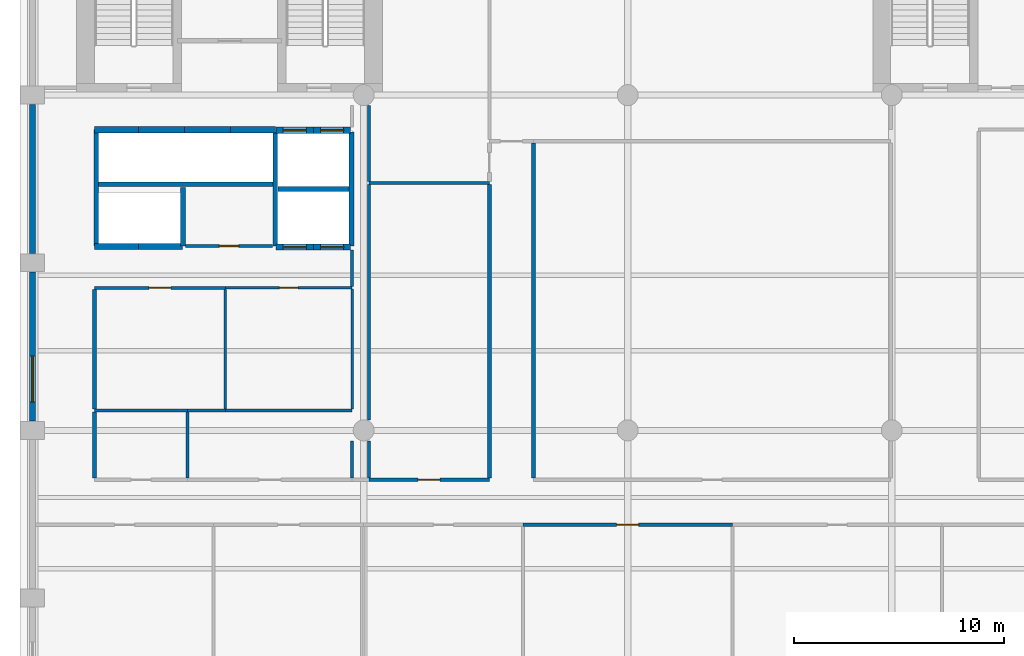
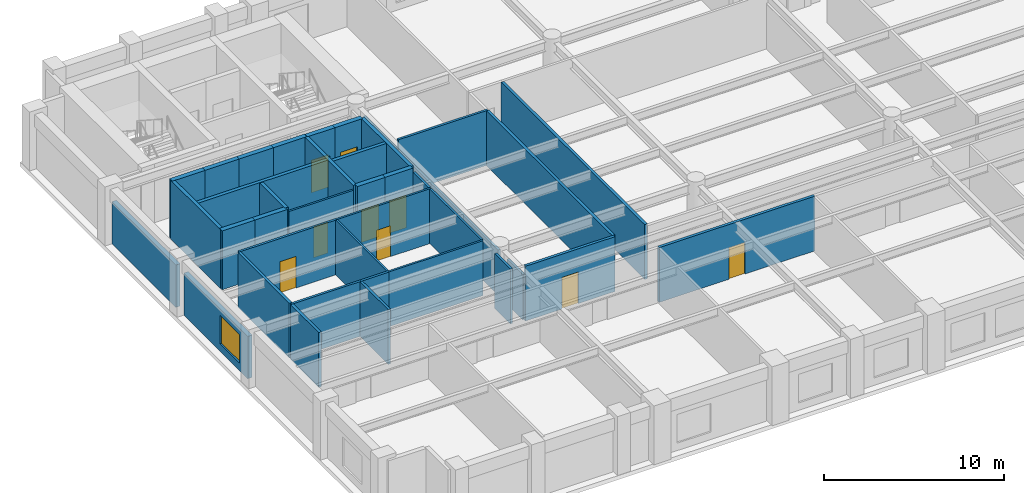
# One storey, part 3 of 8: 39 walls, 9 doors, 1 window, 10 openings.
"""IFC4 building model written with IfcOpenShell, lengths in metres."""

from ifc_helpers import new_model, si_unit, direction, frame, frame_2d, origin, place, context, subcontext, project, spatial, rectangle, extrude, material, layer, layer_set, type_object, element, fill, save


model = new_model("IFC4")

# Units and contexts
model_context = context("Model", 3, precision=1e-05, world=origin(), true_north=direction((0.0, 1.0)))
body_context = subcontext(model_context, "Body", "Model", "MODEL_VIEW")
ifc_project = project(units=[si_unit("LENGTHUNIT", "METRE"), si_unit("AREAUNIT", "SQUARE_METRE"), si_unit("VOLUMEUNIT", "CUBIC_METRE"), si_unit("PLANEANGLEUNIT", "RADIAN"), si_unit("MASSUNIT", "GRAM", prefix="KILO")], contexts=[model_context])

# Site, building, storey
site_placement = place(None, origin())
site = spatial("IfcSite", under=ifc_project, at=site_placement, CompositionType="ELEMENT")
building_placement = place(site_placement, origin())
building = spatial("IfcBuilding", under=site, at=building_placement, Name="Sulina Concourse Tower", CompositionType="ELEMENT")
storey_placement = place(building_placement, frame((0.0, 0.0, 140.60009765625)))
storey = spatial("IfcBuildingStorey", under=building, at=storey_placement, Name="L34", CompositionType="ELEMENT", Elevation=140.60009765625)

# Walls
ifc_material_1 = material(Name="Concrete C50/60", Category="concrete")
ifc_layer_1 = layer(ifc_material_1, 0.219970703125)
ifc_layer_set_1 = layer_set([ifc_layer_1], Name="Concrete C50/60")
wall_type_1 = type_object("IfcWallType", Name="Core Lift Hoistway Divider Wall 220mm", PredefinedType="SOLIDWALL", material=ifc_layer_set_1)
wall_1_placement = place(storey_placement, frame((3.550048828125, 29.75, 0.0), z_axis=(0.0, 0.0, 1.0), x_axis=(1.0, 0.0, 0.0)))
element("IfcWall", 1, at=wall_1_placement, inside=storey, type_object=wall_type_1, Name="L34 shaft divider wall HW-LP3-S", PredefinedType="SOLIDWALL", context=body_context, shape_type="SweptSolid", body=[
    extrude(rectangle(XDim=8.64990234375, YDim=0.219970703125, at=frame_2d((4.324951171875, 0.0))), origin(), (0.0, 0.0, 1.0), 4.0),
])
wall_2_placement = place(storey_placement, frame((3.6298828125, 26.800048828125, 0.0), z_axis=(0.0, 0.0, 1.0), x_axis=(0.0, 1.0, 0.0)))
element("IfcWall", 2, at=wall_2_placement, inside=storey, type_object=wall_type_1, Name="L34 shaft divider wall HW-LP3-W", PredefinedType="SOLIDWALL", context=body_context, shape_type="SweptSolid", body=[
    extrude(rectangle(XDim=5.550048828125, YDim=0.219970703125, at=frame_2d((2.77490234375, 0.0))), origin(), (0.0, 0.0, 1.0), 4.0),
])
wall_3_placement = place(storey_placement, frame((7.780029296875, 26.800048828125, 0.0), z_axis=(0.0, 0.0, 1.0), x_axis=(0.0, 1.0, 0.0)))
element("IfcWall", 3, at=wall_3_placement, inside=storey, type_object=wall_type_1, Name="L34 shaft divider wall HW-EXP-E", PredefinedType="SOLIDWALL", context=body_context, shape_type="SweptSolid", body=[
    extrude(rectangle(XDim=2.800048828125, YDim=0.219970703125, at=frame_2d((1.39990234375, 0.0))), origin(), (0.0, 0.0, 1.0), 4.0),
])
for number, where, z_axis, x_axis, name in (
    (4, (12.179931640625, 26.800048828125, 0.0), (0.0, 0.0, 1.0), (0.0, 1.0, 0.0), "L34 shaft divider wall HW-LP2-W"),
    (5, (15.820068359375, 26.800048828125, 0.0), (0.0, 0.0, 1.0), (0.0, 1.0, 0.0), "L34 shaft divider wall HW-LP2-E"),
):
    element("IfcWall", number, at=place(storey_placement, frame(where, z_axis=z_axis, x_axis=x_axis)), inside=storey, type_object=wall_type_1, Name=name, PredefinedType="SOLIDWALL", context=body_context, shape_type="SweptSolid", body=[
        extrude(rectangle(XDim=5.449951171875, YDim=0.219970703125, at=frame_2d((2.72509765625, 0.0))), origin(), (0.0, 0.0, 1.0), 4.0),
    ])
wall_4_placement = place(storey_placement, frame((12.300048828125, 29.52001953125, 0.0), z_axis=(0.0, 0.0, 1.0), x_axis=(1.0, 0.0, 0.0)))
element("IfcWall", 6, at=wall_4_placement, inside=storey, type_object=wall_type_1, Name="L34 shaft divider wall HW-LP2-M", PredefinedType="SOLIDWALL", context=body_context, shape_type="SweptSolid", body=[
    extrude(rectangle(XDim=3.39990234375, YDim=0.219970703125, at=frame_2d((1.699951171875, 0.0))), origin(), (0.0, 0.0, 1.0), 4.0),
])

# Wall, opening, door
ifc_material_2 = material(Name="Concrete C50/60", Category="concrete")
ifc_layer_2 = layer(ifc_material_2, 0.300048828125)
ifc_layer_set_2 = layer_set([ifc_layer_2], Name="Concrete C50/60")
wall_type_2 = type_object("IfcWallType", Name="Core Lift Hoistway Wall 300mm", PredefinedType="SOLIDWALL", material=ifc_layer_set_2)
wall_5_placement = place(storey_placement, frame((14.0, 26.75, 0.0), z_axis=(0.0, 0.0, 1.0), x_axis=(-1.0, 0.0, 0.0)))
wall_5 = element("IfcWall", 7, at=wall_5_placement, inside=storey, type_object=wall_type_2, Name="L34 hoistway enclosure wall LP-05", PredefinedType="SOLIDWALL", context=body_context, shape_type="SweptSolid", body=[
    extrude(rectangle(XDim=1.780029296875, YDim=0.300048828125, at=frame_2d((0.89013671875, 0.0))), origin(), (0.0, 0.0, 1.0), 4.0),
])
opening_1_placement = place(wall_5_placement, frame((0.340087890625, 0.0, 0.0)))
opening_1 = element("IfcOpeningElement", 8, at=opening_1_placement, cuts=wall_5, Name="Opening LD-01", PredefinedType="OPENING", context=body_context, shape_type="SweptSolid", body=[
    extrude(rectangle(XDim=1.10009765625, YDim=2.199951171875, at=frame_2d((0.550048828125, 1.10009765625))), frame((0.0, 0.159912109375, 0.0), z_axis=(0.0, -1.0, 0.0), x_axis=(1.0, 0.0, 0.0)), (0.0, 0.0, 1.0), 0.320068359375),
])
ifc_material_3 = material(Name="Stainless steel lift landing door", Category="steel")
ifc_layer_3 = layer(ifc_material_3, 0.050048828125)
ifc_layer_set_3 = layer_set([ifc_layer_3], Name="Stainless steel lift landing door")
door_type_1 = type_object("IfcDoorType", Name="Passenger Lift Sliding Landing Door 1100x2200", OperationType="SLIDING_TO_LEFT", PredefinedType="DOOR", material=ifc_layer_set_3)
door_1_placement = place(opening_1_placement, origin())
door_1 = element("IfcDoor", 9, at=door_1_placement, inside=storey, type_object=door_type_1, Name="L34 lift landing sliding door LP-05", OperationType="SLIDING_TO_LEFT", OverallHeight=2.199951171875, OverallWidth=1.10009765625, PredefinedType="DOOR", context=body_context, shape_type="SweptSolid", body=[
    extrude(rectangle(XDim=1.10009765625, YDim=2.199951171875, at=frame_2d((0.550048828125, 1.10009765625))), frame((0.0, 0.02490234375, 0.0), z_axis=(0.0, -1.0, 0.0), x_axis=(1.0, 0.0, 0.0)), (0.0, 0.0, 1.0), 0.050048828125),
])
fill(opening_1, door_1)

wall_6_placement = place(storey_placement, frame((15.780029296875, 26.75, 0.0), z_axis=(0.0, 0.0, 1.0), x_axis=(-1.0, 0.0, 0.0)))
wall_6 = element("IfcWall", 10, at=wall_6_placement, inside=storey, type_object=wall_type_2, Name="L34 hoistway enclosure wall LP-06", PredefinedType="SOLIDWALL", context=body_context, shape_type="SweptSolid", body=[
    extrude(rectangle(XDim=1.780029296875, YDim=0.300048828125, at=frame_2d((0.89013671875, 0.0))), origin(), (0.0, 0.0, 1.0), 4.0),
])
opening_2_placement = place(wall_6_placement, frame((0.340087890625, 0.0, 0.0)))
opening_2 = element("IfcOpeningElement", 11, at=opening_2_placement, cuts=wall_6, Name="Opening LD-01", PredefinedType="OPENING", context=body_context, shape_type="SweptSolid", body=[
    extrude(rectangle(XDim=1.10009765625, YDim=2.199951171875, at=frame_2d((0.550048828125, 1.10009765625))), frame((0.0, 0.159912109375, 0.0), z_axis=(0.0, -1.0, 0.0), x_axis=(1.0, 0.0, 0.0)), (0.0, 0.0, 1.0), 0.320068359375),
])
door_2_placement = place(opening_2_placement, origin())
door_2 = element("IfcDoor", 12, at=door_2_placement, inside=storey, type_object=door_type_1, Name="L34 lift landing sliding door LP-06", OperationType="SLIDING_TO_RIGHT", OverallHeight=2.199951171875, OverallWidth=1.10009765625, PredefinedType="DOOR", context=body_context, shape_type="SweptSolid", body=[
    extrude(rectangle(XDim=1.10009765625, YDim=2.199951171875, at=frame_2d((0.550048828125, 1.10009765625))), frame((0.0, 0.02490234375, 0.0), z_axis=(0.0, -1.0, 0.0), x_axis=(1.0, 0.0, 0.0)), (0.0, 0.0, 1.0), 0.050048828125),
])
fill(opening_2, door_2)

wall_7_placement = place(storey_placement, frame((12.219970703125, 32.320068359375, 0.0), z_axis=(0.0, 0.0, 1.0), x_axis=(1.0, 0.0, 0.0)))
wall_7 = element("IfcWall", 13, at=wall_7_placement, inside=storey, type_object=wall_type_2, Name="L34 hoistway enclosure wall LP-07", PredefinedType="SOLIDWALL", context=body_context, shape_type="SweptSolid", body=[
    extrude(rectangle(XDim=1.780029296875, YDim=0.300048828125, at=frame_2d((0.89013671875, 0.0))), origin(), (0.0, 0.0, 1.0), 4.0),
])
opening_3_placement = place(wall_7_placement, frame((0.340087890625, 0.0, 0.0)))
opening_3 = element("IfcOpeningElement", 14, at=opening_3_placement, cuts=wall_7, Name="Opening LD-01", PredefinedType="OPENING", context=body_context, shape_type="SweptSolid", body=[
    extrude(rectangle(XDim=1.10009765625, YDim=2.199951171875, at=frame_2d((0.550048828125, 1.10009765625))), frame((0.0, 0.159912109375, 0.0), z_axis=(0.0, -1.0, 0.0), x_axis=(1.0, 0.0, 0.0)), (0.0, 0.0, 1.0), 0.320068359375),
])
door_3_placement = place(opening_3_placement, origin())
door_3 = element("IfcDoor", 15, at=door_3_placement, inside=storey, type_object=door_type_1, Name="L34 lift landing sliding door LP-07", OperationType="SLIDING_TO_LEFT", OverallHeight=2.199951171875, OverallWidth=1.10009765625, PredefinedType="DOOR", context=body_context, shape_type="SweptSolid", body=[
    extrude(rectangle(XDim=1.10009765625, YDim=2.199951171875, at=frame_2d((0.550048828125, 1.10009765625))), frame((0.0, 0.02490234375, 0.0), z_axis=(0.0, -1.0, 0.0), x_axis=(1.0, 0.0, 0.0)), (0.0, 0.0, 1.0), 0.050048828125),
])
fill(opening_3, door_3)

wall_8_placement = place(storey_placement, frame((14.0, 32.320068359375, 0.0), z_axis=(0.0, 0.0, 1.0), x_axis=(1.0, 0.0, 0.0)))
wall_8 = element("IfcWall", 16, at=wall_8_placement, inside=storey, type_object=wall_type_2, Name="L34 hoistway enclosure wall LP-08", PredefinedType="SOLIDWALL", context=body_context, shape_type="SweptSolid", body=[
    extrude(rectangle(XDim=1.780029296875, YDim=0.300048828125, at=frame_2d((0.89013671875, 0.0))), origin(), (0.0, 0.0, 1.0), 4.0),
])
opening_4_placement = place(wall_8_placement, frame((0.340087890625, 0.0, 0.0)))
opening_4 = element("IfcOpeningElement", 17, at=opening_4_placement, cuts=wall_8, Name="Opening LD-01", PredefinedType="OPENING", context=body_context, shape_type="SweptSolid", body=[
    extrude(rectangle(XDim=1.10009765625, YDim=2.199951171875, at=frame_2d((0.550048828125, 1.10009765625))), frame((0.0, 0.159912109375, 0.0), z_axis=(0.0, -1.0, 0.0), x_axis=(1.0, 0.0, 0.0)), (0.0, 0.0, 1.0), 0.320068359375),
])
door_4_placement = place(opening_4_placement, origin())
door_4 = element("IfcDoor", 18, at=door_4_placement, inside=storey, type_object=door_type_1, Name="L34 lift landing sliding door LP-08", OperationType="SLIDING_TO_RIGHT", OverallHeight=2.199951171875, OverallWidth=1.10009765625, PredefinedType="DOOR", context=body_context, shape_type="SweptSolid", body=[
    extrude(rectangle(XDim=1.10009765625, YDim=2.199951171875, at=frame_2d((0.550048828125, 1.10009765625))), frame((0.0, 0.02490234375, 0.0), z_axis=(0.0, -1.0, 0.0), x_axis=(1.0, 0.0, 0.0)), (0.0, 0.0, 1.0), 0.050048828125),
])
fill(opening_4, door_4)

# Walls
wall_9_placement = place(storey_placement, frame((3.550048828125, 32.35009765625, 0.0), z_axis=(0.0, 0.0, 1.0), x_axis=(1.0, 0.0, 0.0)))
element("IfcWall", 19, at=wall_9_placement, inside=storey, type_object=wall_type_2, Name="L34 hoistway enclosure wall LP-09", PredefinedType="SOLIDWALL", context=body_context, shape_type="SweptSolid", body=[
    extrude(rectangle(XDim=2.099853515625, YDim=0.300048828125, at=frame_2d((1.0498046875, 0.0))), origin(), (0.0, 0.0, 1.0), 4.0),
])
wall_10_placement = place(storey_placement, frame((5.64990234375, 32.35009765625, 0.0), z_axis=(0.0, 0.0, 1.0), x_axis=(1.0, 0.0, 0.0)))
element("IfcWall", 20, at=wall_10_placement, inside=storey, type_object=wall_type_2, Name="L34 hoistway enclosure wall LP-10", PredefinedType="SOLIDWALL", context=body_context, shape_type="SweptSolid", body=[
    extrude(rectangle(XDim=2.2001953125, YDim=0.300048828125, at=frame_2d((1.10009765625, 0.0))), origin(), (0.0, 0.0, 1.0), 4.0),
])
wall_11_placement = place(storey_placement, frame((7.85009765625, 32.35009765625, 0.0), z_axis=(0.0, 0.0, 1.0), x_axis=(1.0, 0.0, 0.0)))
element("IfcWall", 21, at=wall_11_placement, inside=storey, type_object=wall_type_2, Name="L34 hoistway enclosure wall LP-11", PredefinedType="SOLIDWALL", context=body_context, shape_type="SweptSolid", body=[
    extrude(rectangle(XDim=2.199951171875, YDim=0.300048828125, at=frame_2d((1.10009765625, 0.0))), origin(), (0.0, 0.0, 1.0), 4.0),
])
wall_12_placement = place(storey_placement, frame((10.050048828125, 32.35009765625, 0.0), z_axis=(0.0, 0.0, 1.0), x_axis=(1.0, 0.0, 0.0)))
element("IfcWall", 22, at=wall_12_placement, inside=storey, type_object=wall_type_2, Name="L34 hoistway enclosure wall LP-12", PredefinedType="SOLIDWALL", context=body_context, shape_type="SweptSolid", body=[
    extrude(rectangle(XDim=2.14990234375, YDim=0.300048828125, at=frame_2d((1.074951171875, 0.0))), origin(), (0.0, 0.0, 1.0), 4.0),
])
wall_13_placement = place(storey_placement, frame((5.64990234375, 26.780029296875, 0.0), z_axis=(0.0, 0.0, 1.0), x_axis=(-1.0, 0.0, 0.0)))
element("IfcWall", 23, at=wall_13_placement, inside=storey, type_object=wall_type_2, Name="L34 hoistway enclosure wall EXP-1", PredefinedType="SOLIDWALL", context=body_context, shape_type="SweptSolid", body=[
    extrude(rectangle(XDim=2.099853515625, YDim=0.300048828125, at=frame_2d((1.0498046875, 0.0))), origin(), (0.0, 0.0, 1.0), 4.0),
])
wall_14_placement = place(storey_placement, frame((7.75, 26.780029296875, 0.0), z_axis=(0.0, 0.0, 1.0), x_axis=(-1.0, 0.0, 0.0)))
element("IfcWall", 24, at=wall_14_placement, inside=storey, type_object=wall_type_2, Name="L34 hoistway enclosure wall EXP-2", PredefinedType="SOLIDWALL", context=body_context, shape_type="SweptSolid", body=[
    extrude(rectangle(XDim=2.10009765625, YDim=0.300048828125, at=frame_2d((1.050048828125, 0.0))), origin(), (0.0, 0.0, 1.0), 4.0),
])
ifc_material_4 = material(Name="Gypsum board on steel stud", Category="steel")
ifc_layer_4 = layer(ifc_material_4, 0.14990234375)
ifc_layer_set_4 = layer_set([ifc_layer_4], Name="Gypsum board on steel stud")
wall_type_3 = type_object("IfcWallType", Name="Inter-Tenancy Acoustic Partition 150mm", PredefinedType="PARTITIONING", material=ifc_layer_set_4)
wall_15_placement = place(storey_placement, frame((3.550048828125, 18.949951171875, 0.0), z_axis=(0.0, 0.0, 1.0), x_axis=(1.0, 0.0, 0.0)))
element("IfcWall", 25, at=wall_15_placement, inside=storey, type_object=wall_type_3, Name="L34 interior partition 013", PredefinedType="PARTITIONING", context=body_context, shape_type="SweptSolid", body=[
    extrude(rectangle(XDim=4.449951171875, YDim=0.14990234375, at=frame_2d((2.22509765625, 0.0))), origin(), (0.0, 0.0, 1.0), 3.724853515625),
])
wall_16_placement = place(storey_placement, frame((8.0, 18.949951171875, 0.0), z_axis=(0.0, 0.0, 1.0), x_axis=(1.0, 0.0, 0.0)))
element("IfcWall", 26, at=wall_16_placement, inside=storey, type_object=wall_type_3, Name="L34 interior partition 014", PredefinedType="PARTITIONING", context=body_context, shape_type="SweptSolid", body=[
    extrude(rectangle(XDim=1.800048828125, YDim=0.14990234375, at=frame_2d((0.89990234375, 0.0))), origin(), (0.0, 0.0, 1.0), 3.724853515625),
])

# Wall, opening, door
wall_17_placement = place(storey_placement, frame((3.550048828125, 24.800048828125, 0.0), z_axis=(0.0, 0.0, 1.0), x_axis=(1.0, 0.0, 0.0)))
wall_17 = element("IfcWall", 27, at=wall_17_placement, inside=storey, type_object=wall_type_3, Name="L34 interior partition 016", PredefinedType="PARTITIONING", context=body_context, shape_type="SweptSolid", body=[
    extrude(rectangle(XDim=6.25, YDim=0.14990234375, at=frame_2d((3.125, 0.0))), origin(), (0.0, 0.0, 1.0), 3.724853515625),
])
opening_5_placement = place(wall_17_placement, frame((2.60009765625, 0.0, 0.0)))
opening_5 = element("IfcOpeningElement", 28, at=opening_5_placement, cuts=wall_17, Name="Opening DR-37", PredefinedType="OPENING", context=body_context, shape_type="SweptSolid", body=[
    extrude(rectangle(XDim=1.050048828125, YDim=2.14990234375, at=frame_2d((0.52490234375, 1.074951171875))), frame((0.0, 0.0849609375, 0.0), z_axis=(0.0, -1.0, 0.0), x_axis=(1.0, 0.0, 0.0)), (0.0, 0.0, 1.0), 0.169921875),
])
ifc_material_5 = material(Name="Oak-veneered fire door leaf")
ifc_layer_5 = layer(ifc_material_5, 0.050048828125)
ifc_layer_set_5 = layer_set([ifc_layer_5], Name="Oak-veneered fire door leaf")
door_type_2 = type_object("IfcDoorType", Name="Tenant Suite Entrance Fire Door 1050x2150", OperationType="NOTDEFINED", PredefinedType="DOOR", material=ifc_layer_set_5)
door_5_placement = place(opening_5_placement, origin())
door_5 = element("IfcDoor", 29, at=door_5_placement, inside=storey, type_object=door_type_2, Name="L34 interior door L34-LR-MRG1", OperationType="SINGLE_SWING_LEFT", OverallHeight=2.14990234375, OverallWidth=1.050048828125, PredefinedType="DOOR", context=body_context, shape_type="SweptSolid", body=[
    extrude(rectangle(XDim=1.050048828125, YDim=2.14990234375, at=frame_2d((0.52490234375, 1.074951171875))), frame((0.0, 0.02490234375, 0.0), z_axis=(0.0, -1.0, 0.0), x_axis=(1.0, 0.0, 0.0)), (0.0, 0.0, 1.0), 0.050048828125),
])
fill(opening_5, door_5)

# Walls
wall_18_placement = place(storey_placement, frame((16.64990234375, 29.800048828125, 0.0), z_axis=(0.0, 0.0, 1.0), x_axis=(1.0, 0.0, 0.0)))
element("IfcWall", 30, at=wall_18_placement, inside=storey, type_object=wall_type_3, Name="L34 interior partition 019", PredefinedType="PARTITIONING", context=body_context, shape_type="SweptSolid", body=[
    extrude(rectangle(XDim=5.75, YDim=0.14990234375, at=frame_2d((2.875, 0.0))), origin(), (0.0, 0.0, 1.0), 3.724853515625),
])
wall_19_placement = place(storey_placement, frame((8.0, 15.739990234375, 0.0), z_axis=(0.0, 0.0, 1.0), x_axis=(0.0, 1.0, 0.0)))
element("IfcWall", 31, at=wall_19_placement, inside=storey, type_object=wall_type_3, Name="L34 interior partition 029", PredefinedType="PARTITIONING", context=body_context, shape_type="SweptSolid", body=[
    extrude(rectangle(XDim=3.135009765625, YDim=0.14990234375, at=frame_2d((1.5673828125, 0.0))), origin(), (0.0, 0.0, 1.0), 3.724853515625),
])
wall_20_placement = place(storey_placement, frame((15.85009765625, 15.739990234375, 0.0), z_axis=(0.0, 0.0, 1.0), x_axis=(0.0, 1.0, 0.0)))
element("IfcWall", 32, at=wall_20_placement, inside=storey, type_object=wall_type_3, Name="L34 interior partition 032", PredefinedType="PARTITIONING", context=body_context, shape_type="SweptSolid", body=[
    extrude(rectangle(XDim=1.760009765625, YDim=0.14990234375, at=frame_2d((0.8798828125, 0.0))), origin(), (0.0, 0.0, 1.0), 3.724853515625),
])
wall_21_placement = place(storey_placement, frame((15.85009765625, 24.862548828125, 0.0), z_axis=(0.0, 0.0, 1.0), x_axis=(0.0, 1.0, 0.0)))
element("IfcWall", 33, at=wall_21_placement, inside=storey, type_object=wall_type_3, Name="L34 interior partition 034", PredefinedType="PARTITIONING", context=body_context, shape_type="SweptSolid", body=[
    extrude(rectangle(XDim=1.737548828125, YDim=0.14990234375, at=frame_2d((0.86865234375, 0.0))), origin(), (0.0, 0.0, 1.0), 3.724853515625),
])
wall_22_placement = place(storey_placement, frame((16.64990234375, 15.739990234375, 0.0), z_axis=(0.0, 0.0, 1.0), x_axis=(0.0, 1.0, 0.0)))
element("IfcWall", 34, at=wall_22_placement, inside=storey, type_object=wall_type_3, Name="L34 interior partition 037", PredefinedType="PARTITIONING", context=body_context, shape_type="SweptSolid", body=[
    extrude(rectangle(XDim=1.760009765625, YDim=0.14990234375, at=frame_2d((0.8798828125, 0.0))), origin(), (0.0, 0.0, 1.0), 3.06982421875),
])
wall_23_placement = place(storey_placement, frame((16.64990234375, 18.5, 0.0), z_axis=(0.0, 0.0, 1.0), x_axis=(0.0, 1.0, 0.0)))
element("IfcWall", 35, at=wall_23_placement, inside=storey, type_object=wall_type_3, Name="L34 interior partition 038", PredefinedType="PARTITIONING", context=body_context, shape_type="SweptSolid", body=[
    extrude(rectangle(XDim=11.22509765625, YDim=0.14990234375, at=frame_2d((5.612548828125, 0.0))), origin(), (0.0, 0.0, 1.0), 3.06982421875),
])
wall_24_placement = place(storey_placement, frame((16.64990234375, 29.875, 0.0), z_axis=(0.0, 0.0, 1.0), x_axis=(0.0, 1.0, 0.0)))
element("IfcWall", 36, at=wall_24_placement, inside=storey, type_object=wall_type_3, Name="L34 interior partition 039", PredefinedType="PARTITIONING", context=body_context, shape_type="SweptSolid", body=[
    extrude(rectangle(XDim=3.625, YDim=0.14990234375, at=frame_2d((1.8125, 0.0))), origin(), (0.0, 0.0, 1.0), 3.06982421875),
])

# Wall, opening, door
ifc_material_6 = material(Name="Gypsum board on steel stud", Category="steel")
ifc_layer_6 = layer(ifc_material_6, 0.179931640625)
ifc_layer_set_6 = layer_set([ifc_layer_6], Name="Gypsum board on steel stud")
wall_type_4 = type_object("IfcWallType", Name="Protected Corridor & Riser Partition 180mm", PredefinedType="PARTITIONING", material=ifc_layer_set_6)
wall_25_placement = place(storey_placement, frame((24.0, 13.5, 0.0), z_axis=(0.0, 0.0, 1.0), x_axis=(1.0, 0.0, 0.0)))
wall_25 = element("IfcWall", 37, at=wall_25_placement, inside=storey, type_object=wall_type_4, Name="L34 interior partition 004", PredefinedType="PARTITIONING", context=body_context, shape_type="SweptSolid", body=[
    extrude(rectangle(XDim=10.0, YDim=0.179931640625, at=frame_2d((5.0, 0.0))), origin(), (0.0, 0.0, 1.0), 3.724853515625),
])
opening_6_placement = place(wall_25_placement, frame((4.47509765625, 0.0, 0.0)))
opening_6 = element("IfcOpeningElement", 38, at=opening_6_placement, cuts=wall_25, Name="Opening DR-37", PredefinedType="OPENING", context=body_context, shape_type="SweptSolid", body=[
    extrude(rectangle(XDim=1.050048828125, YDim=2.14990234375, at=frame_2d((0.52490234375, 1.074951171875))), frame((0.0, 0.099853515625, 0.0), z_axis=(0.0, -1.0, 0.0), x_axis=(1.0, 0.0, 0.0)), (0.0, 0.0, 1.0), 0.199951171875),
])
door_6_placement = place(opening_6_placement, origin())
door_6 = element("IfcDoor", 39, at=door_6_placement, inside=storey, type_object=door_type_2, Name="L34 interior door L34-S04", OperationType="SINGLE_SWING_LEFT", OverallHeight=2.14990234375, OverallWidth=1.050048828125, PredefinedType="DOOR", context=body_context, shape_type="SweptSolid", body=[
    extrude(rectangle(XDim=1.050048828125, YDim=2.14990234375, at=frame_2d((0.52490234375, 1.074951171875))), frame((0.0, 0.02490234375, 0.0), z_axis=(0.0, -1.0, 0.0), x_axis=(1.0, 0.0, 0.0)), (0.0, 0.0, 1.0), 0.050048828125),
])
fill(opening_6, door_6)

wall_26_placement = place(storey_placement, frame((16.64990234375, 15.64990234375, 0.0), z_axis=(0.0, 0.0, 1.0), x_axis=(1.0, 0.0, 0.0)))
wall_26 = element("IfcWall", 40, at=wall_26_placement, inside=storey, type_object=wall_type_4, Name="L34 interior partition 010", PredefinedType="PARTITIONING", context=body_context, shape_type="SweptSolid", body=[
    extrude(rectangle(XDim=5.75, YDim=0.179931640625, at=frame_2d((2.875, 0.0))), origin(), (0.0, 0.0, 1.0), 3.724853515625),
])
opening_7_placement = place(wall_26_placement, frame((2.35009765625, 0.0, 0.0)))
opening_7 = element("IfcOpeningElement", 41, at=opening_7_placement, cuts=wall_26, Name="Opening DR-37", PredefinedType="OPENING", context=body_context, shape_type="SweptSolid", body=[
    extrude(rectangle(XDim=1.050048828125, YDim=2.14990234375, at=frame_2d((0.52490234375, 1.074951171875))), frame((0.0, 0.099853515625, 0.0), z_axis=(0.0, -1.0, 0.0), x_axis=(1.0, 0.0, 0.0)), (0.0, 0.0, 1.0), 0.199951171875),
])
door_7_placement = place(opening_7_placement, origin())
door_7 = element("IfcDoor", 42, at=door_7_placement, inside=storey, type_object=door_type_2, Name="L34 interior door L34-NC1", OperationType="SINGLE_SWING_RIGHT", OverallHeight=2.14990234375, OverallWidth=1.050048828125, PredefinedType="DOOR", context=body_context, shape_type="SweptSolid", body=[
    extrude(rectangle(XDim=1.050048828125, YDim=2.14990234375, at=frame_2d((0.52490234375, 1.074951171875))), frame((0.0, 0.02490234375, 0.0), z_axis=(0.0, -1.0, 0.0), x_axis=(1.0, 0.0, 0.0)), (0.0, 0.0, 1.0), 0.050048828125),
])
fill(opening_7, door_7)

# Walls
wall_27_placement = place(storey_placement, frame((3.550048828125, 15.739990234375, 0.0), z_axis=(0.0, 0.0, 1.0), x_axis=(0.0, 1.0, 0.0)))
element("IfcWall", 43, at=wall_27_placement, inside=storey, type_object=wall_type_4, Name="L34 interior partition 027", PredefinedType="PARTITIONING", context=body_context, shape_type="SweptSolid", body=[
    extrude(rectangle(XDim=3.135009765625, YDim=0.179931640625, at=frame_2d((1.5673828125, 0.0))), origin(), (0.0, 0.0, 1.0), 3.724853515625),
])
wall_28_placement = place(storey_placement, frame((3.550048828125, 19.02490234375, 0.0), z_axis=(0.0, 0.0, 1.0), x_axis=(0.0, 1.0, 0.0)))
element("IfcWall", 44, at=wall_28_placement, inside=storey, type_object=wall_type_4, Name="L34 interior partition 028", PredefinedType="PARTITIONING", context=body_context, shape_type="SweptSolid", body=[
    extrude(rectangle(XDim=5.7001953125, YDim=0.179931640625, at=frame_2d((2.85009765625, 0.0))), origin(), (0.0, 0.0, 1.0), 3.724853515625),
])
wall_29_placement = place(storey_placement, frame((22.39990234375, 15.739990234375, 0.0), z_axis=(0.0, 0.0, 1.0), x_axis=(0.0, 1.0, 0.0)))
element("IfcWall", 45, at=wall_29_placement, inside=storey, type_object=wall_type_4, Name="L34 interior partition 040", PredefinedType="PARTITIONING", context=body_context, shape_type="SweptSolid", body=[
    extrude(rectangle(XDim=13.985107421875, YDim=0.179931640625, at=frame_2d((6.99267578125, 0.0))), origin(), (0.0, 0.0, 1.0), 3.724853515625),
])
wall_30_placement = place(storey_placement, frame((24.5, 15.739990234375, 0.0), z_axis=(0.0, 0.0, 1.0), x_axis=(0.0, 1.0, 0.0)))
element("IfcWall", 46, at=wall_30_placement, inside=storey, type_object=wall_type_4, Name="L34 interior partition 044", PredefinedType="PARTITIONING", context=body_context, shape_type="SweptSolid", body=[
    extrude(rectangle(XDim=15.969970703125, YDim=0.179931640625, at=frame_2d((7.98486328125, 0.0))), origin(), (0.0, 0.0, 1.0), 3.724853515625),
])

# Wall, opening, window
ifc_material_7 = material(Name="Precast concrete C50/60", Category="concrete")
ifc_layer_7 = layer(ifc_material_7, 0.280029296875)
ifc_layer_set_7 = layer_set([ifc_layer_7], Name="Precast concrete C50/60")
wall_type_5 = type_object("IfcWallType", Name="Typical Precast Masonry-Frame Facade Wall 280mm", PredefinedType="SOLIDWALL", material=ifc_layer_set_7)
wall_31_placement = place(storey_placement, frame((0.60009765625, 18.445068359375, 0.0), z_axis=(0.0, 0.0, 1.0), x_axis=(0.0, 1.0, 0.0)))
wall_31 = element("IfcWall", 47, at=wall_31_placement, inside=storey, type_object=wall_type_5, Name="L34 exterior precast wall W3", PredefinedType="SOLIDWALL", context=body_context, shape_type="SweptSolid", body=[
    extrude(rectangle(XDim=7.10986328125, YDim=0.280029296875, at=frame_2d((3.554931640625, 0.0))), origin(), (0.0, 0.0, 1.0), 2.875),
])
opening_8_placement = place(wall_31_placement, frame((0.9033203125, 0.0, 0.5)))
opening_8 = element("IfcOpeningElement", 48, at=opening_8_placement, cuts=wall_31, Name="Opening WN-76", PredefinedType="OPENING", context=body_context, shape_type="SweptSolid", body=[
    extrude(rectangle(XDim=2.199951171875, YDim=1.949951171875, at=frame_2d((1.10009765625, 0.97509765625))), frame((0.0, 0.14990234375, 0.0), z_axis=(0.0, -1.0, 0.0), x_axis=(1.0, 0.0, 0.0)), (0.0, 0.0, 1.0), 0.300048828125),
])
ifc_material_8 = material(Name="Low-E solar double glazing in bronze aluminium", Category="aluminium")
window_type = type_object("IfcWindowType", Name="Recessed Spandrel Window 2200x1950", PartitioningType="DOUBLE_PANEL_VERTICAL", PredefinedType="WINDOW", material=ifc_material_8)
window_placement = place(opening_8_placement, origin())
window = element("IfcWindow", 49, at=window_placement, inside=storey, type_object=window_type, Name="L34 punched window W3-1", OverallHeight=1.949951171875, OverallWidth=2.199951171875, PartitioningType="SINGLE_PANEL", PredefinedType="WINDOW", context=body_context, shape_type="SweptSolid", body=[
    extrude(rectangle(XDim=2.199951171875, YDim=1.949951171875, at=frame_2d((1.10009765625, 0.97509765625))), frame((0.0, 0.030029296875, 0.0), z_axis=(0.0, -1.0, 0.0), x_axis=(1.0, 0.0, 0.0)), (0.0, 0.0, 1.0), 0.06005859375),
])
fill(opening_8, window)

# Walls
wall_32_placement = place(storey_placement, frame((0.60009765625, 26.445068359375, 0.0), z_axis=(0.0, 0.0, 1.0), x_axis=(0.0, 1.0, 0.0)))
element("IfcWall", 50, at=wall_32_placement, inside=storey, type_object=wall_type_5, Name="L34 exterior precast wall W4", PredefinedType="SOLIDWALL", context=body_context, shape_type="SweptSolid", body=[
    extrude(rectangle(XDim=7.10986328125, YDim=0.280029296875, at=frame_2d((3.554931640625, 0.0))), origin(), (0.0, 0.0, 1.0), 2.875),
])
ifc_material_9 = material(Name="Gypsum board on steel stud", Category="steel")
ifc_layer_8 = layer(ifc_material_9, 0.125)
ifc_layer_set_8 = layer_set([ifc_layer_8], Name="Gypsum board on steel stud")
wall_type_6 = type_object("IfcWallType", Name="Wet-Area Moisture-Resistant Partition 125mm", PredefinedType="PARTITIONING", material=ifc_layer_set_8)
wall_33_placement = place(storey_placement, frame((9.800048828125, 18.949951171875, 0.0), z_axis=(0.0, 0.0, 1.0), x_axis=(1.0, 0.0, 0.0)))
element("IfcWall", 51, at=wall_33_placement, inside=storey, type_object=wall_type_6, Name="L34 interior partition 015", PredefinedType="PARTITIONING", context=body_context, shape_type="SweptSolid", body=[
    extrude(rectangle(XDim=6.050048828125, YDim=0.125, at=frame_2d((3.02490234375, 0.0))), origin(), (0.0, 0.0, 1.0), 3.724853515625),
])

# Wall, opening, door
wall_34_placement = place(storey_placement, frame((9.800048828125, 24.800048828125, 0.0), z_axis=(0.0, 0.0, 1.0), x_axis=(1.0, 0.0, 0.0)))
wall_34 = element("IfcWall", 52, at=wall_34_placement, inside=storey, type_object=wall_type_6, Name="L34 interior partition 017", PredefinedType="PARTITIONING", context=body_context, shape_type="SweptSolid", body=[
    extrude(rectangle(XDim=6.050048828125, YDim=0.125, at=frame_2d((3.02490234375, 0.0))), origin(), (0.0, 0.0, 1.0), 3.724853515625),
])
opening_9_placement = place(wall_34_placement, frame((2.574951171875, 0.0, 0.0)))
opening_9 = element("IfcOpeningElement", 53, at=opening_9_placement, cuts=wall_34, Name="Opening DR-21", PredefinedType="OPENING", context=body_context, shape_type="SweptSolid", body=[
    extrude(rectangle(XDim=0.89990234375, YDim=2.10009765625, at=frame_2d((0.449951171875, 1.050048828125))), frame((0.0, 0.072509765625, 0.0), z_axis=(0.0, -1.0, 0.0), x_axis=(1.0, 0.0, 0.0)), (0.0, 0.0, 1.0), 0.14501953125),
])
ifc_material_10 = material(Name="Oak-veneered fire door leaf")
ifc_layer_9 = layer(ifc_material_10, 0.050048828125)
ifc_layer_set_9 = layer_set([ifc_layer_9], Name="Oak-veneered fire door leaf")
door_type_3 = type_object("IfcDoorType", Name="Restroom & Service Door 900x2100", OperationType="NOTDEFINED", PredefinedType="DOOR", material=ifc_layer_set_9)
door_8_placement = place(opening_9_placement, origin())
door_8 = element("IfcDoor", 54, at=door_8_placement, inside=storey, type_object=door_type_3, Name="L34 interior door L34-LR-MRG2", OperationType="SINGLE_SWING_RIGHT", OverallHeight=2.10009765625, OverallWidth=0.89990234375, PredefinedType="DOOR", context=body_context, shape_type="SweptSolid", body=[
    extrude(rectangle(XDim=0.89990234375, YDim=2.10009765625, at=frame_2d((0.449951171875, 1.050048828125))), frame((0.0, 0.02490234375, 0.0), z_axis=(0.0, -1.0, 0.0), x_axis=(1.0, 0.0, 0.0)), (0.0, 0.0, 1.0), 0.050048828125),
])
fill(opening_9, door_8)

wall_35_placement = place(storey_placement, frame((7.889892578125, 26.800048828125, 0.0), z_axis=(0.0, 0.0, 1.0), x_axis=(1.0, 0.0, 0.0)))
wall_35 = element("IfcWall", 55, at=wall_35_placement, inside=storey, type_object=wall_type_6, Name="L34 interior partition 018", PredefinedType="PARTITIONING", context=body_context, shape_type="SweptSolid", body=[
    extrude(rectangle(XDim=4.16015625, YDim=0.125, at=frame_2d((2.080078125, 0.0))), origin(), (0.0, 0.0, 1.0), 3.724853515625),
])
opening_10_placement = place(wall_35_placement, frame((1.6201171875, 0.0, 0.0)))
opening_10 = element("IfcOpeningElement", 56, at=opening_10_placement, cuts=wall_35, Name="Opening DR-61", PredefinedType="OPENING", context=body_context, shape_type="SweptSolid", body=[
    extrude(rectangle(XDim=0.919921875, YDim=2.10009765625, at=frame_2d((0.4599609375, 1.050048828125))), frame((0.0, 0.072509765625, 0.0), z_axis=(0.0, -1.0, 0.0), x_axis=(1.0, 0.0, 0.0)), (0.0, 0.0, 1.0), 0.14501953125),
])
ifc_material_11 = material(Name="Oak-veneered fire door leaf")
ifc_layer_10 = layer(ifc_material_11, 0.050048828125)
ifc_layer_set_10 = layer_set([ifc_layer_10], Name="Oak-veneered fire door leaf")
door_type_4 = type_object("IfcDoorType", Name="Accessible WC Door 920x2100", OperationType="NOTDEFINED", PredefinedType="DOOR", material=ifc_layer_set_10)
door_9_placement = place(opening_10_placement, origin())
door_9 = element("IfcDoor", 57, at=door_9_placement, inside=storey, type_object=door_type_4, Name="L34 interior door L34-WC-ACC", OperationType="SINGLE_SWING_LEFT", OverallHeight=2.10009765625, OverallWidth=0.919921875, PredefinedType="DOOR", context=body_context, shape_type="SweptSolid", body=[
    extrude(rectangle(XDim=0.919921875, YDim=2.10009765625, at=frame_2d((0.4599609375, 1.050048828125))), frame((0.0, 0.02490234375, 0.0), z_axis=(0.0, -1.0, 0.0), x_axis=(1.0, 0.0, 0.0)), (0.0, 0.0, 1.0), 0.050048828125),
])
fill(opening_10, door_9)

# Walls
wall_36_placement = place(storey_placement, frame((9.800048828125, 19.02490234375, 0.0), z_axis=(0.0, 0.0, 1.0), x_axis=(0.0, 1.0, 0.0)))
element("IfcWall", 58, at=wall_36_placement, inside=storey, type_object=wall_type_6, Name="L34 interior partition 031", PredefinedType="PARTITIONING", context=body_context, shape_type="SweptSolid", body=[
    extrude(rectangle(XDim=5.7001953125, YDim=0.125, at=frame_2d((2.85009765625, 0.0))), origin(), (0.0, 0.0, 1.0), 3.724853515625),
])
wall_37_placement = place(storey_placement, frame((15.85009765625, 19.012451171875, 0.0), z_axis=(0.0, 0.0, 1.0), x_axis=(0.0, 1.0, 0.0)))
element("IfcWall", 59, at=wall_37_placement, inside=storey, type_object=wall_type_6, Name="L34 interior partition 033", PredefinedType="PARTITIONING", context=body_context, shape_type="SweptSolid", body=[
    extrude(rectangle(XDim=5.72509765625, YDim=0.125, at=frame_2d((2.862548828125, 0.0))), origin(), (0.0, 0.0, 1.0), 3.724853515625),
])

save(model, "model.ifc")
